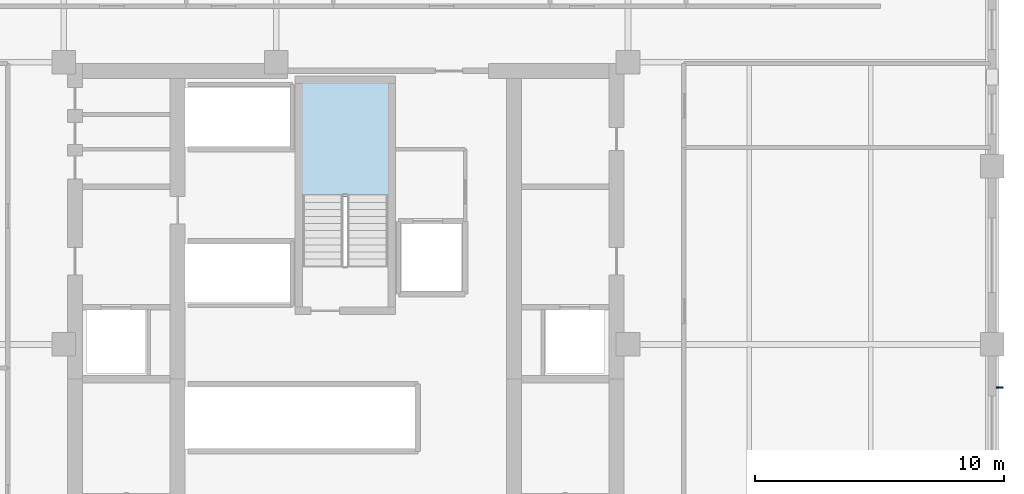
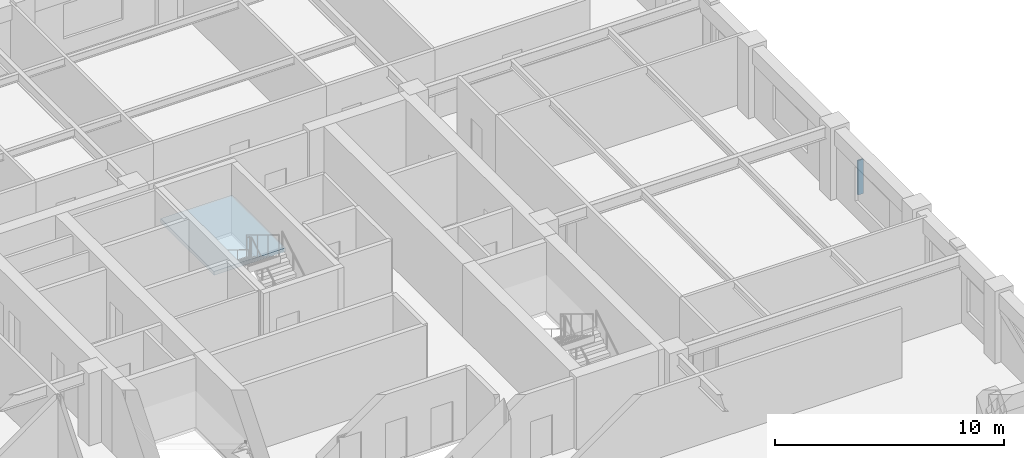
# One storey, part 4 of 9: 1 plate, 1 slab, 1 element without a shape of its own.
"""IFC4 building model written with IfcOpenShell, lengths in metres."""

from ifc_helpers import new_model, si_unit, direction, frame, origin, origin_2d, place, context, subcontext, project, spatial, polyline, rectangle, outline, extrude, material, layer, layer_set, type_object, element, aggregate, save


model = new_model("IFC4")

# Units and contexts
model_context = context("Model", 3, precision=1e-05, world=origin(), true_north=direction((0.0, 1.0)))
body_context = subcontext(model_context, "Body", "Model", "MODEL_VIEW")
ifc_project = project(units=[si_unit("LENGTHUNIT", "METRE"), si_unit("AREAUNIT", "SQUARE_METRE"), si_unit("VOLUMEUNIT", "CUBIC_METRE"), si_unit("PLANEANGLEUNIT", "RADIAN"), si_unit("MASSUNIT", "GRAM", prefix="KILO")], contexts=[model_context])

# Site, building, storey
site_placement = place(None, origin())
site = spatial("IfcSite", under=ifc_project, at=site_placement, CompositionType="ELEMENT")
building_placement = place(site_placement, origin())
building = spatial("IfcBuilding", under=site, at=building_placement, Name="Nhamokura Convention Tower", CompositionType="ELEMENT")
storey_placement = place(building_placement, frame((0.0, 0.0, 118.300048828125)))
storey = spatial("IfcBuildingStorey", under=building, at=storey_placement, Name="L28", CompositionType="ELEMENT", Elevation=118.300048828125)

# Plate
ifc_material_1 = material(Name="Anodised bronze aluminium AA6063-T6", Category="aluminium")
plate_type = type_object("IfcPlateType", Name="BronzeSolarFin_2", PredefinedType="USERDEFINED", material=ifc_material_1)
plate_placement = place(storey_placement, frame((58.300048828125, 30.2666015625, 0.849853515625), z_axis=(0.0, 0.0, 1.0), x_axis=(1.0, 0.0, 0.0)))
element("IfcPlate", 1, at=plate_placement, inside=storey, type_object=plate_type, Name="L28 Bronze Solar Shading Fin EAST 2", ObjectType="SOLAR_FIN", PredefinedType="USERDEFINED", context=body_context, shape_type="SweptSolid", body=[
    extrude(rectangle(XDim=0.280029296875, YDim=0.06005859375, at=origin_2d()), origin(), (0.0, 0.0, 1.0), 1.8349609375),
])

# Stair, slab
ifc_material_2 = material(Name="Concrete C40/50", Category="concrete")
stair_type = type_object("IfcStairType", Name="TowerCoreStair_1650", PredefinedType="HALF_TURN_STAIR", material=ifc_material_2)
stair_placement = place(storey_placement, origin())
stair = element("IfcStair", 2, at=stair_placement, inside=storey, type_object=stair_type, Name="L28 North Core Smokeproof Stair ST-03", PredefinedType="HALF_TURN_STAIR")
ifc_material_3 = material(Name="Concrete C40/50", Category="concrete")
ifc_layer = layer(ifc_material_3, 0.199951171875)
ifc_layer_set = layer_set([ifc_layer], Name="StairLandingSlab_200")
slab_type = type_object("IfcSlabType", Name="StairLandingSlab_200", PredefinedType="LANDING", material=ifc_layer_set)
slab_placement = place(storey_placement, frame((0.0, 0.0, 1.724853515625)))
slab = element("IfcSlab", 3, at=slab_placement, type_object=slab_type, Name="ST-03 landing 1", PredefinedType="LANDING", context=body_context, shape_type="SweptSolid", body=[
    extrude(outline(polyline([(33.780029296875, 37.919921875), (33.780029296875, 42.580078125), (30.169921875, 42.580078125), (30.169921875, 37.919921875), (33.780029296875, 37.919921875)])), origin(), (0.0, 0.0, 1.0), 0.2001953125),
])
aggregate(stair, [slab])

save(model, "model.ifc")
